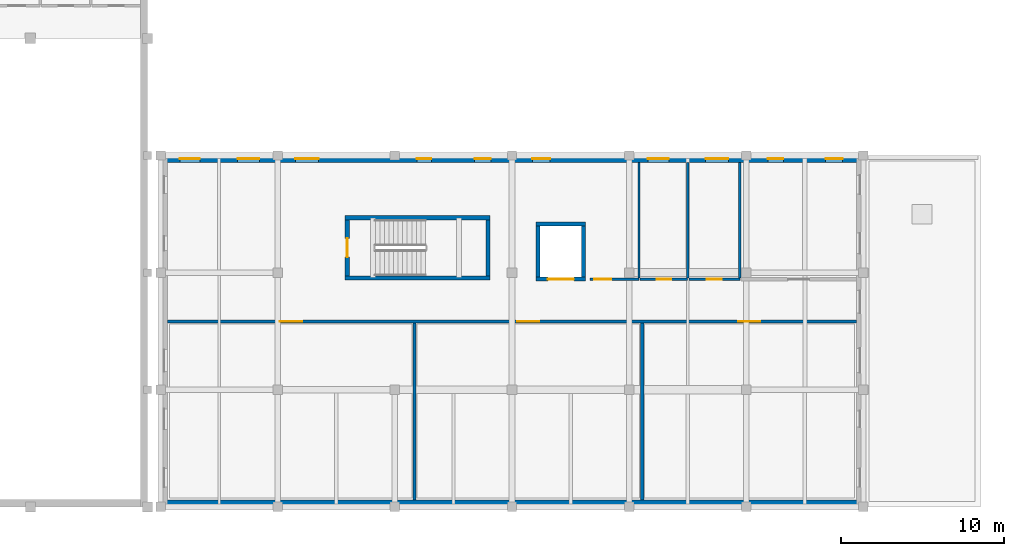
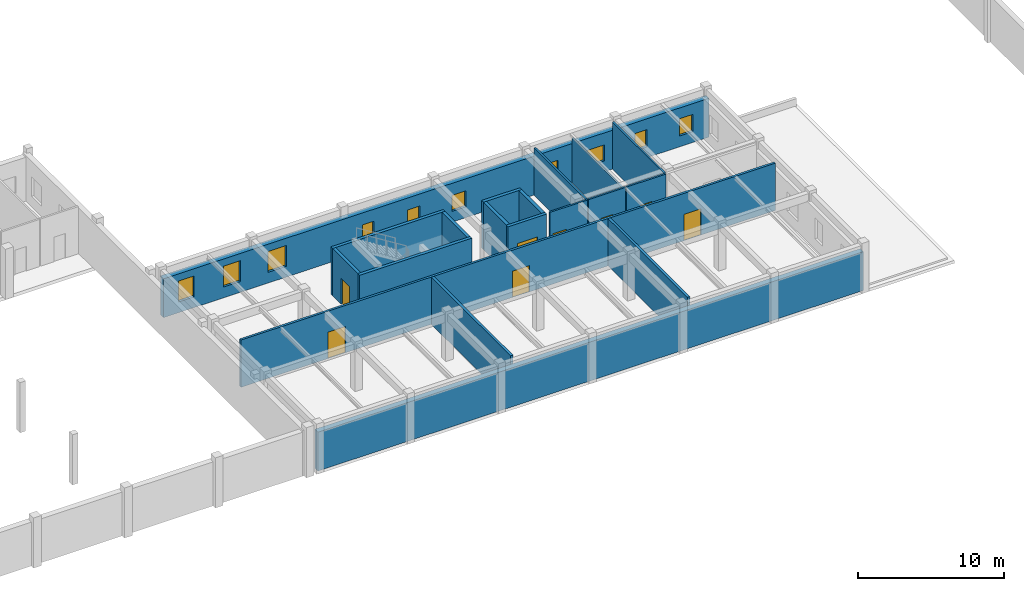
# One storey, part 29 of 49: 19 walls, 10 windows, 8 doors, 18 openings.
"""IFC4 building model written with IfcOpenShell, lengths in metres."""

from ifc_helpers import new_model, si_unit, direction, frame, frame_2d, origin, place, context, subcontext, project, spatial, rectangle, extrude, material, layer, layer_set, type_object, element, fill, save


model = new_model("IFC4")

# Units and contexts
model_context = context("Model", 3, precision=1e-05, world=origin(), true_north=direction((0.0, 1.0)))
body_context = subcontext(model_context, "Body", "Model", "MODEL_VIEW")
ifc_project = project(units=[si_unit("LENGTHUNIT", "METRE"), si_unit("AREAUNIT", "SQUARE_METRE"), si_unit("VOLUMEUNIT", "CUBIC_METRE"), si_unit("PLANEANGLEUNIT", "RADIAN"), si_unit("MASSUNIT", "GRAM", prefix="KILO")], contexts=[model_context])

# Site, building, storey
site_placement = place(None, origin())
site = spatial("IfcSite", under=ifc_project, at=site_placement, CompositionType="ELEMENT")
building_placement = place(site_placement, origin())
building = spatial("IfcBuilding", under=site, at=building_placement, Name="Bramveld Media Centre", CompositionType="ELEMENT")
storey_placement = place(building_placement, frame((0.0, 0.0, 9.60009765625)))
storey = spatial("IfcBuildingStorey", under=building, at=storey_placement, Name="L02", CompositionType="ELEMENT", Elevation=9.60009765625)

# Walls
ifc_material_1 = material(Name="Concrete C40/50 stair & lift core wall", Category="concrete")
ifc_layer_1 = layer(ifc_material_1, 0.25)
ifc_layer_set_1 = layer_set([ifc_layer_1], Name="Concrete C40/50 stair & lift core wall")
wall_type_1 = type_object("IfcWallType", Name="CWALL-SHEAR-250", PredefinedType="SHEAR", material=ifc_layer_set_1)
for number, where, z_axis, x_axis, name in (
    (1, (69.75, 14.074951171875, 0.0), (0.0, 0.0, 1.0), (1.0, 0.0, 0.0), "ST-06 L02 stair core shear wall S"),
    (2, (78.64990234375, 17.77490234375, 0.0), (0.0, 0.0, 1.0), (-1.0, 0.0, 0.0), "ST-06 L02 stair core shear wall N"),
):
    element("IfcWall", number, at=place(storey_placement, frame(where, z_axis=z_axis, x_axis=x_axis)), inside=storey, type_object=wall_type_1, Name=name, PredefinedType="SHEAR", context=body_context, shape_type="SweptSolid", body=[
        extrude(rectangle(XDim=8.89990234375, YDim=0.25, at=frame_2d((4.449951171875, 0.0))), origin(), (0.0, 0.0, 1.0), 3.9599609375),
    ])

# Wall, opening, door
wall_1_placement = place(storey_placement, frame((69.875, 17.64990234375, 0.0), z_axis=(0.0, 0.0, 1.0), x_axis=(0.0, -1.0, 0.0)))
wall_1 = element("IfcWall", 3, at=wall_1_placement, inside=storey, type_object=wall_type_1, Name="ST-06 L02 stair core shear wall W", PredefinedType="SHEAR", context=body_context, shape_type="SweptSolid", body=[
    extrude(rectangle(XDim=3.449951171875, YDim=0.25, at=frame_2d((1.72509765625, 0.0))), origin(), (0.0, 0.0, 1.0), 3.9599609375),
])
opening_1_placement = place(wall_1_placement, frame((1.14990234375, 0.0, 0.0)))
opening_1 = element("IfcOpeningElement", 4, at=opening_1_placement, cuts=wall_1, Name="Opening SD-06-L02", PredefinedType="OPENING", context=body_context, shape_type="SweptSolid", body=[
    extrude(rectangle(XDim=1.14990234375, YDim=2.14990234375, at=frame_2d((0.574951171875, 1.074951171875))), frame((0.0, 0.136962890625, 0.0), z_axis=(0.0, -1.0, 0.0), x_axis=(1.0, 0.0, 0.0)), (0.0, 0.0, 1.0), 0.27392578125),
])
ifc_material_2 = material(Name="Painted galvanized steel acoustic fire door with intumescent smoke seals", Category="steel")
door_type_1 = type_object("IfcDoorType", Name="DR-ST-1150", OperationType="NOTDEFINED", PredefinedType="DOOR", material=ifc_material_2)
door_1_placement = place(opening_1_placement, origin())
door_1 = element("IfcDoor", 5, at=door_1_placement, inside=storey, type_object=door_type_1, Name="ST-06 L02 pressurized stair fire door", OperationType="SINGLE_SWING_RIGHT", OverallHeight=2.14990234375, OverallWidth=1.14990234375, PredefinedType="DOOR", context=body_context, shape_type="SweptSolid", body=[
    extrude(rectangle(XDim=1.14990234375, YDim=2.14990234375, at=frame_2d((0.574951171875, 1.074951171875))), frame((0.0, 0.02490234375, 0.0), z_axis=(0.0, -1.0, 0.0), x_axis=(1.0, 0.0, 0.0)), (0.0, 0.0, 1.0), 0.050048828125),
])
fill(opening_1, door_1)

# Wall
wall_2_placement = place(storey_placement, frame((78.52490234375, 14.199951171875, 0.0), z_axis=(0.0, 0.0, 1.0), x_axis=(0.0, 1.0, 0.0)))
element("IfcWall", 6, at=wall_2_placement, inside=storey, type_object=wall_type_1, Name="ST-06 L02 stair core shear wall E", PredefinedType="SHEAR", context=body_context, shape_type="SweptSolid", body=[
    extrude(rectangle(XDim=3.449951171875, YDim=0.25, at=frame_2d((1.72509765625, 0.0))), origin(), (0.0, 0.0, 1.0), 3.9599609375),
])

# Wall, opening, door
wall_3_placement = place(storey_placement, frame((81.47509765625, 14.0, 0.0), z_axis=(0.0, 0.0, 1.0), x_axis=(1.0, 0.0, 0.0)))
wall_3 = element("IfcWall", 7, at=wall_3_placement, inside=storey, type_object=wall_type_1, Name="GL-01 L02 lift shaft wall S", PredefinedType="SHEAR", context=body_context, shape_type="SweptSolid", body=[
    extrude(rectangle(XDim=3.0498046875, YDim=0.25, at=frame_2d((1.52490234375, 0.0))), origin(), (0.0, 0.0, 1.0), 3.9599609375),
])
opening_2_placement = place(wall_3_placement, frame((0.72509765625, 0.0, 0.0)))
opening_2 = element("IfcOpeningElement", 8, at=opening_2_placement, cuts=wall_3, Name="Opening LD-04-01-L02", PredefinedType="OPENING", context=body_context, shape_type="SweptSolid", body=[
    extrude(rectangle(XDim=1.60009765625, YDim=2.300048828125, at=frame_2d((0.800048828125, 1.14990234375))), frame((0.0, 0.136962890625, 0.0), z_axis=(0.0, -1.0, 0.0), x_axis=(1.0, 0.0, 0.0)), (0.0, 0.0, 1.0), 0.27392578125),
])
ifc_material_3 = material(Name="Brushed stainless steel automatic fire-rated sliding lift landing door", Category="steel")
door_type_2 = type_object("IfcDoorType", Name="LD-TYPE-04", OperationType="DOUBLE_DOOR_SLIDING", PredefinedType="DOOR", material=ifc_material_3)
door_2_placement = place(opening_2_placement, origin())
door_2 = element("IfcDoor", 9, at=door_2_placement, inside=storey, type_object=door_type_2, Name="GL-01 L02 sliding lift landing door", OperationType="DOUBLE_DOOR_SLIDING", OverallHeight=2.300048828125, OverallWidth=1.60009765625, PredefinedType="DOOR", context=body_context, shape_type="SweptSolid", body=[
    extrude(rectangle(XDim=1.60009765625, YDim=2.300048828125, at=frame_2d((0.800048828125, 1.14990234375))), frame((0.0, 0.02490234375, 0.0), z_axis=(0.0, -1.0, 0.0), x_axis=(1.0, 0.0, 0.0)), (0.0, 0.0, 1.0), 0.050048828125),
])
fill(opening_2, door_2)

# Walls
wall_4_placement = place(storey_placement, frame((84.52490234375, 17.39990234375, 0.0), z_axis=(0.0, 0.0, 1.0), x_axis=(-1.0, 0.0, 0.0)))
element("IfcWall", 10, at=wall_4_placement, inside=storey, type_object=wall_type_1, Name="GL-01 L02 lift shaft wall N", PredefinedType="SHEAR", context=body_context, shape_type="SweptSolid", body=[
    extrude(rectangle(XDim=3.0498046875, YDim=0.25, at=frame_2d((1.52490234375, 0.0))), origin(), (0.0, 0.0, 1.0), 3.9599609375),
])
for number, where, z_axis, x_axis, name in (
    (11, (81.60009765625, 17.39990234375, 0.0), (0.0, 0.0, 1.0), (0.0, -1.0, 0.0), "GL-01 L02 lift shaft wall W"),
    (12, (84.39990234375, 14.0, 0.0), (0.0, 0.0, 1.0), (0.0, 1.0, 0.0), "GL-01 L02 lift shaft wall E"),
):
    element("IfcWall", number, at=place(storey_placement, frame(where, z_axis=z_axis, x_axis=x_axis)), inside=storey, type_object=wall_type_1, Name=name, PredefinedType="SHEAR", context=body_context, shape_type="SweptSolid", body=[
        extrude(rectangle(XDim=3.39990234375, YDim=0.25, at=frame_2d((1.699951171875, 0.0))), origin(), (0.0, 0.0, 1.0), 3.9599609375),
    ])
ifc_material_4 = material(Name="Flemish red-brown clay facing brick cavity wall with concrete C35/45 inner leaf", Category="masonry")
ifc_layer_2 = layer(ifc_material_4, 0.419921875)
ifc_layer_set_2 = layer_set([ifc_layer_2], Name="Flemish red-brown clay facing brick cavity wall with concrete C35/45 inner leaf")
wall_type_2 = type_object("IfcWallType", Name="EW-BRK-420", PredefinedType="SOLIDWALL", material=ifc_layer_set_2)
wall_5_placement = place(storey_placement, frame((101.60009765625, 0.2099609375, 0.0), z_axis=(0.0, 0.0, 1.0), x_axis=(-1.0, 0.0, 0.0)))
element("IfcWall", 13, at=wall_5_placement, inside=storey, type_object=wall_type_2, Name="V5 L02 S facing brick exterior wall", PredefinedType="SOLIDWALL", context=body_context, shape_type="SweptSolid", body=[
    extrude(rectangle(XDim=43.2001953125, YDim=0.419921875, at=frame_2d((21.60009765625, 0.0))), origin(), (0.0, 0.0, 1.0), 3.2548828125),
])

# Wall, openings, windows
wall_6_placement = place(storey_placement, frame((58.39990234375, 21.389892578125, 0.0), z_axis=(0.0, 0.0, 1.0), x_axis=(1.0, 0.0, 0.0)))
wall_6 = element("IfcWall", 14, at=wall_6_placement, inside=storey, type_object=wall_type_2, Name="V5 L02 N facing brick exterior wall", PredefinedType="SOLIDWALL", context=body_context, shape_type="SweptSolid", body=[
    extrude(rectangle(XDim=43.2001953125, YDim=0.419921875, at=frame_2d((21.60009765625, 0.0))), origin(), (0.0, 0.0, 1.0), 3.2548828125),
])
opening_3_placement = place(wall_6_placement, frame((1.179931640625, 0.0, 0.89990234375)))
opening_3 = element("IfcOpeningElement", 15, at=opening_3_placement, cuts=wall_6, Name="Opening W-21", PredefinedType="OPENING", context=body_context, shape_type="SweptSolid", body=[
    extrude(rectangle(XDim=1.239990234375, YDim=1.75, at=frame_2d((0.6201171875, 0.875))), frame((0.0, 0.221923828125, 0.0), z_axis=(0.0, -1.0, 0.0), x_axis=(1.0, 0.0, 0.0)), (0.0, 0.0, 1.0), 0.44384765625),
])
opening_4_placement = place(wall_6_placement, frame((4.72998046875, 0.0, 0.89990234375)))
opening_4 = element("IfcOpeningElement", 16, at=opening_4_placement, cuts=wall_6, Name="Opening W-22", PredefinedType="OPENING", context=body_context, shape_type="SweptSolid", body=[
    extrude(rectangle(XDim=1.340087890625, YDim=1.75, at=frame_2d((0.669921875, 0.875))), frame((0.0, 0.221923828125, 0.0), z_axis=(0.0, -1.0, 0.0), x_axis=(1.0, 0.0, 0.0)), (0.0, 0.0, 1.0), 0.44384765625),
])
opening_5_placement = place(wall_6_placement, frame((8.280029296875, 0.0, 0.89990234375)))
opening_5 = element("IfcOpeningElement", 17, at=opening_5_placement, cuts=wall_6, Name="Opening W-23", PredefinedType="OPENING", context=body_context, shape_type="SweptSolid", body=[
    extrude(rectangle(XDim=1.43994140625, YDim=1.75, at=frame_2d((0.719970703125, 0.875))), frame((0.0, 0.221923828125, 0.0), z_axis=(0.0, -1.0, 0.0), x_axis=(1.0, 0.0, 0.0)), (0.0, 0.0, 1.0), 0.44384765625),
])
opening_6_placement = place(wall_6_placement, frame((15.75, 0.0, 0.89990234375)))
opening_6 = element("IfcOpeningElement", 18, at=opening_6_placement, cuts=wall_6, Name="Opening W-01", PredefinedType="OPENING", context=body_context, shape_type="SweptSolid", body=[
    extrude(rectangle(XDim=0.89990234375, YDim=1.35009765625, at=frame_2d((0.449951171875, 0.675048828125))), frame((0.0, 0.221923828125, 0.0), z_axis=(0.0, -1.0, 0.0), x_axis=(1.0, 0.0, 0.0)), (0.0, 0.0, 1.0), 0.44384765625),
])
opening_7_placement = place(wall_6_placement, frame((19.300048828125, 0.0, 0.89990234375)))
opening_7 = element("IfcOpeningElement", 19, at=opening_7_placement, cuts=wall_6, Name="Opening W-02", PredefinedType="OPENING", context=body_context, shape_type="SweptSolid", body=[
    extrude(rectangle(XDim=1.0, YDim=1.35009765625, at=frame_2d((0.5, 0.675048828125))), frame((0.0, 0.221923828125, 0.0), z_axis=(0.0, -1.0, 0.0), x_axis=(1.0, 0.0, 0.0)), (0.0, 0.0, 1.0), 0.44384765625),
])
opening_8_placement = place(wall_6_placement, frame((22.85009765625, 0.0, 0.89990234375)))
opening_8 = element("IfcOpeningElement", 20, at=opening_8_placement, cuts=wall_6, Name="Opening W-03", PredefinedType="OPENING", context=body_context, shape_type="SweptSolid", body=[
    extrude(rectangle(XDim=1.10009765625, YDim=1.35009765625, at=frame_2d((0.550048828125, 0.675048828125))), frame((0.0, 0.221923828125, 0.0), z_axis=(0.0, -1.0, 0.0), x_axis=(1.0, 0.0, 0.0)), (0.0, 0.0, 1.0), 0.44384765625),
])
opening_9_placement = place(wall_6_placement, frame((29.949951171875, 0.0, 0.89990234375)))
opening_9 = element("IfcOpeningElement", 21, at=opening_9_placement, cuts=wall_6, Name="Opening W-05", PredefinedType="OPENING", context=body_context, shape_type="SweptSolid", body=[
    extrude(rectangle(XDim=1.300048828125, YDim=1.35009765625, at=frame_2d((0.64990234375, 0.675048828125))), frame((0.0, 0.221923828125, 0.0), z_axis=(0.0, -1.0, 0.0), x_axis=(1.0, 0.0, 0.0)), (0.0, 0.0, 1.0), 0.44384765625),
])
opening_10_placement = place(wall_6_placement, frame((33.5, 0.0, 0.89990234375)))
opening_10 = element("IfcOpeningElement", 22, at=opening_10_placement, cuts=wall_6, Name="Opening W-06", PredefinedType="OPENING", context=body_context, shape_type="SweptSolid", body=[
    extrude(rectangle(XDim=1.39990234375, YDim=1.35009765625, at=frame_2d((0.699951171875, 0.675048828125))), frame((0.0, 0.221923828125, 0.0), z_axis=(0.0, -1.0, 0.0), x_axis=(1.0, 0.0, 0.0)), (0.0, 0.0, 1.0), 0.44384765625),
])
opening_11_placement = place(wall_6_placement, frame((37.324951171875, 0.0, 0.89990234375)))
opening_11 = element("IfcOpeningElement", 23, at=opening_11_placement, cuts=wall_6, Name="Opening W-07", PredefinedType="OPENING", context=body_context, shape_type="SweptSolid", body=[
    extrude(rectangle(XDim=0.949951171875, YDim=1.449951171875, at=frame_2d((0.47509765625, 0.72509765625))), frame((0.0, 0.221923828125, 0.0), z_axis=(0.0, -1.0, 0.0), x_axis=(1.0, 0.0, 0.0)), (0.0, 0.0, 1.0), 0.44384765625),
])
opening_12_placement = place(wall_6_placement, frame((40.875, 0.0, 0.89990234375)))
opening_12 = element("IfcOpeningElement", 24, at=opening_12_placement, cuts=wall_6, Name="Opening W-08", PredefinedType="OPENING", context=body_context, shape_type="SweptSolid", body=[
    extrude(rectangle(XDim=1.050048828125, YDim=1.449951171875, at=frame_2d((0.52490234375, 0.72509765625))), frame((0.0, 0.221923828125, 0.0), z_axis=(0.0, -1.0, 0.0), x_axis=(1.0, 0.0, 0.0)), (0.0, 0.0, 1.0), 0.44384765625),
])
ifc_material_5 = material(Name="Thermally broken anodized bronze aluminium frame with triple acoustic glazing", Category="aluminium")
window_type_1 = type_object("IfcWindowType", Name="WIN-FAC-01", PartitioningType="SINGLE_PANEL", PredefinedType="WINDOW", material=ifc_material_5)
window_1_placement = place(opening_6_placement, origin())
window_1 = element("IfcWindow", 25, at=window_1_placement, inside=storey, type_object=window_type_1, Name="V5 L02 N acoustic facade window", OverallHeight=1.35009765625, OverallWidth=0.89990234375, PartitioningType="SINGLE_PANEL", PredefinedType="WINDOW", context=body_context, shape_type="SweptSolid", body=[
    extrude(rectangle(XDim=0.89990234375, YDim=1.35009765625, at=frame_2d((0.449951171875, 0.675048828125))), frame((0.0, 0.030029296875, 0.0), z_axis=(0.0, -1.0, 0.0), x_axis=(1.0, 0.0, 0.0)), (0.0, 0.0, 1.0), 0.06005859375),
])
fill(opening_6, window_1)
ifc_material_6 = material(Name="Thermally broken anodized bronze aluminium frame with triple acoustic glazing", Category="aluminium")
window_type_2 = type_object("IfcWindowType", Name="WIN-FAC-02", PartitioningType="SINGLE_PANEL", PredefinedType="WINDOW", material=ifc_material_6)
window_2_placement = place(opening_7_placement, origin())
window_2 = element("IfcWindow", 26, at=window_2_placement, inside=storey, type_object=window_type_2, Name="V5 L02 N acoustic facade window", OverallHeight=1.35009765625, OverallWidth=1.0, PartitioningType="SINGLE_PANEL", PredefinedType="WINDOW", context=body_context, shape_type="SweptSolid", body=[
    extrude(rectangle(XDim=1.0, YDim=1.35009765625, at=frame_2d((0.5, 0.675048828125))), frame((0.0, 0.030029296875, 0.0), z_axis=(0.0, -1.0, 0.0), x_axis=(1.0, 0.0, 0.0)), (0.0, 0.0, 1.0), 0.06005859375),
])
fill(opening_7, window_2)
ifc_material_7 = material(Name="Thermally broken anodized bronze aluminium frame with triple acoustic glazing", Category="aluminium")
window_type_3 = type_object("IfcWindowType", Name="WIN-FAC-03", PartitioningType="SINGLE_PANEL", PredefinedType="WINDOW", material=ifc_material_7)
window_3_placement = place(opening_8_placement, origin())
window_3 = element("IfcWindow", 27, at=window_3_placement, inside=storey, type_object=window_type_3, Name="V5 L02 N acoustic facade window", OverallHeight=1.35009765625, OverallWidth=1.10009765625, PartitioningType="SINGLE_PANEL", PredefinedType="WINDOW", context=body_context, shape_type="SweptSolid", body=[
    extrude(rectangle(XDim=1.10009765625, YDim=1.35009765625, at=frame_2d((0.550048828125, 0.675048828125))), frame((0.0, 0.030029296875, 0.0), z_axis=(0.0, -1.0, 0.0), x_axis=(1.0, 0.0, 0.0)), (0.0, 0.0, 1.0), 0.06005859375),
])
fill(opening_8, window_3)
ifc_material_8 = material(Name="Thermally broken anodized bronze aluminium frame with triple acoustic glazing", Category="aluminium")
window_type_4 = type_object("IfcWindowType", Name="WIN-FAC-05", PartitioningType="SINGLE_PANEL", PredefinedType="WINDOW", material=ifc_material_8)
window_4_placement = place(opening_9_placement, origin())
window_4 = element("IfcWindow", 28, at=window_4_placement, inside=storey, type_object=window_type_4, Name="V5 L02 N acoustic facade window", OverallHeight=1.35009765625, OverallWidth=1.300048828125, PartitioningType="SINGLE_PANEL", PredefinedType="WINDOW", context=body_context, shape_type="SweptSolid", body=[
    extrude(rectangle(XDim=1.300048828125, YDim=1.35009765625, at=frame_2d((0.64990234375, 0.675048828125))), frame((0.0, 0.030029296875, 0.0), z_axis=(0.0, -1.0, 0.0), x_axis=(1.0, 0.0, 0.0)), (0.0, 0.0, 1.0), 0.06005859375),
])
fill(opening_9, window_4)
ifc_material_9 = material(Name="Thermally broken anodized bronze aluminium frame with triple acoustic glazing", Category="aluminium")
window_type_5 = type_object("IfcWindowType", Name="WIN-FAC-06", PartitioningType="SINGLE_PANEL", PredefinedType="WINDOW", material=ifc_material_9)
window_5_placement = place(opening_10_placement, origin())
window_5 = element("IfcWindow", 29, at=window_5_placement, inside=storey, type_object=window_type_5, Name="V5 L02 N acoustic facade window", OverallHeight=1.35009765625, OverallWidth=1.39990234375, PartitioningType="SINGLE_PANEL", PredefinedType="WINDOW", context=body_context, shape_type="SweptSolid", body=[
    extrude(rectangle(XDim=1.39990234375, YDim=1.35009765625, at=frame_2d((0.699951171875, 0.675048828125))), frame((0.0, 0.030029296875, 0.0), z_axis=(0.0, -1.0, 0.0), x_axis=(1.0, 0.0, 0.0)), (0.0, 0.0, 1.0), 0.06005859375),
])
fill(opening_10, window_5)
ifc_material_10 = material(Name="Thermally broken anodized bronze aluminium frame with triple acoustic glazing", Category="aluminium")
window_type_6 = type_object("IfcWindowType", Name="WIN-FAC-07", PartitioningType="SINGLE_PANEL", PredefinedType="WINDOW", material=ifc_material_10)
window_6_placement = place(opening_11_placement, origin())
window_6 = element("IfcWindow", 30, at=window_6_placement, inside=storey, type_object=window_type_6, Name="V5 L02 N acoustic facade window", OverallHeight=1.449951171875, OverallWidth=0.949951171875, PartitioningType="SINGLE_PANEL", PredefinedType="WINDOW", context=body_context, shape_type="SweptSolid", body=[
    extrude(rectangle(XDim=0.949951171875, YDim=1.449951171875, at=frame_2d((0.47509765625, 0.72509765625))), frame((0.0, 0.030029296875, 0.0), z_axis=(0.0, -1.0, 0.0), x_axis=(1.0, 0.0, 0.0)), (0.0, 0.0, 1.0), 0.06005859375),
])
fill(opening_11, window_6)
ifc_material_11 = material(Name="Thermally broken anodized bronze aluminium frame with triple acoustic glazing", Category="aluminium")
window_type_7 = type_object("IfcWindowType", Name="WIN-FAC-08", PartitioningType="SINGLE_PANEL", PredefinedType="WINDOW", material=ifc_material_11)
window_7_placement = place(opening_12_placement, origin())
window_7 = element("IfcWindow", 31, at=window_7_placement, inside=storey, type_object=window_type_7, Name="V5 L02 N acoustic facade window", OverallHeight=1.449951171875, OverallWidth=1.050048828125, PartitioningType="SINGLE_PANEL", PredefinedType="WINDOW", context=body_context, shape_type="SweptSolid", body=[
    extrude(rectangle(XDim=1.050048828125, YDim=1.449951171875, at=frame_2d((0.52490234375, 0.72509765625))), frame((0.0, 0.030029296875, 0.0), z_axis=(0.0, -1.0, 0.0), x_axis=(1.0, 0.0, 0.0)), (0.0, 0.0, 1.0), 0.06005859375),
])
fill(opening_12, window_7)
ifc_material_12 = material(Name="Thermally broken anodized bronze aluminium frame with triple acoustic glazing", Category="aluminium")
window_type_8 = type_object("IfcWindowType", Name="WIN-FAC-21", PartitioningType="SINGLE_PANEL", PredefinedType="WINDOW", material=ifc_material_12)
window_8_placement = place(opening_3_placement, origin())
window_8 = element("IfcWindow", 32, at=window_8_placement, inside=storey, type_object=window_type_8, Name="V5 L02 N acoustic facade window", OverallHeight=1.75, OverallWidth=1.239990234375, PartitioningType="SINGLE_PANEL", PredefinedType="WINDOW", context=body_context, shape_type="SweptSolid", body=[
    extrude(rectangle(XDim=1.239990234375, YDim=1.75, at=frame_2d((0.6201171875, 0.875))), frame((0.0, 0.030029296875, 0.0), z_axis=(0.0, -1.0, 0.0), x_axis=(1.0, 0.0, 0.0)), (0.0, 0.0, 1.0), 0.06005859375),
])
fill(opening_3, window_8)
ifc_material_13 = material(Name="Thermally broken anodized bronze aluminium frame with triple acoustic glazing", Category="aluminium")
window_type_9 = type_object("IfcWindowType", Name="WIN-FAC-22", PartitioningType="SINGLE_PANEL", PredefinedType="WINDOW", material=ifc_material_13)
window_9_placement = place(opening_4_placement, origin())
window_9 = element("IfcWindow", 33, at=window_9_placement, inside=storey, type_object=window_type_9, Name="V5 L02 N acoustic facade window", OverallHeight=1.75, OverallWidth=1.340087890625, PartitioningType="SINGLE_PANEL", PredefinedType="WINDOW", context=body_context, shape_type="SweptSolid", body=[
    extrude(rectangle(XDim=1.340087890625, YDim=1.75, at=frame_2d((0.669921875, 0.875))), frame((0.0, 0.030029296875, 0.0), z_axis=(0.0, -1.0, 0.0), x_axis=(1.0, 0.0, 0.0)), (0.0, 0.0, 1.0), 0.06005859375),
])
fill(opening_4, window_9)
ifc_material_14 = material(Name="Thermally broken anodized bronze aluminium frame with triple acoustic glazing", Category="aluminium")
window_type_10 = type_object("IfcWindowType", Name="WIN-FAC-23", PartitioningType="SINGLE_PANEL", PredefinedType="WINDOW", material=ifc_material_14)
window_10_placement = place(opening_5_placement, origin())
window_10 = element("IfcWindow", 34, at=window_10_placement, inside=storey, type_object=window_type_10, Name="V5 L02 N acoustic facade window", OverallHeight=1.75, OverallWidth=1.43994140625, PartitioningType="SINGLE_PANEL", PredefinedType="WINDOW", context=body_context, shape_type="SweptSolid", body=[
    extrude(rectangle(XDim=1.43994140625, YDim=1.75, at=frame_2d((0.719970703125, 0.875))), frame((0.0, 0.030029296875, 0.0), z_axis=(0.0, -1.0, 0.0), x_axis=(1.0, 0.0, 0.0)), (0.0, 0.0, 1.0), 0.06005859375),
])
fill(opening_5, window_10)

# Walls
ifc_material_15 = material(Name="Acoustic calcium-silicate & mineral-wool compartment partition", Category="masonry")
ifc_layer_3 = layer(ifc_material_15, 0.199951171875)
ifc_layer_set_3 = layer_set([ifc_layer_3], Name="Acoustic calcium-silicate & mineral-wool compartment partition")
wall_type_3 = type_object("IfcWallType", Name="IW-ACOU-200", PredefinedType="PARTITIONING", material=ifc_layer_set_3)
for number, where, z_axis, x_axis, name in (
    (35, (74.0, 0.429931640625, 0.0), (0.0, 0.0, 1.0), (0.0, 1.0, 0.0), "FIAF Cool Acetate Film Vault 1 partition wall"),
    (36, (88.0, 0.429931640625, 0.0), (0.0, 0.0, 1.0), (0.0, 1.0, 0.0), "FIAF Cool Acetate Film Vault 2 partition wall"),
):
    element("IfcWall", number, at=place(storey_placement, frame(where, z_axis=z_axis, x_axis=x_axis)), inside=storey, type_object=wall_type_3, Name=name, PredefinedType="PARTITIONING", context=body_context, shape_type="SweptSolid", body=[
        extrude(rectangle(XDim=10.8701171875, YDim=0.199951171875, at=frame_2d((5.43505859375, 0.0))), origin(), (0.0, 0.0, 1.0), 3.9599609375),
    ])

# Wall, openings, doors
ifc_material_16 = material(Name="Fire-rated twin-frame gypsum corridor wall", Category="gypsum")
ifc_layer_4 = layer(ifc_material_16, 0.179931640625)
ifc_layer_set_4 = layer_set([ifc_layer_4], Name="Fire-rated twin-frame gypsum corridor wall")
wall_type_4 = type_object("IfcWallType", Name="IW-FIRE-180", PredefinedType="PARTITIONING", material=ifc_layer_set_4)
wall_7_placement = place(storey_placement, frame((58.830078125, 11.39990234375, 0.0), z_axis=(0.0, 0.0, 1.0), x_axis=(1.0, 0.0, 0.0)))
wall_7 = element("IfcWall", 37, at=wall_7_placement, inside=storey, type_object=wall_type_4, Name="Archival Vaults Airlock Corridor partition wall", PredefinedType="PARTITIONING", context=body_context, shape_type="SweptSolid", body=[
    extrude(rectangle(XDim=42.33984375, YDim=0.179931640625, at=frame_2d((21.169921875, 0.0))), origin(), (0.0, 0.0, 1.0), 3.9599609375),
])
opening_13_placement = place(wall_7_placement, frame((6.905029296875, 0.0, 0.0)))
opening_13 = element("IfcOpeningElement", 38, at=opening_13_placement, cuts=wall_7, Name="Opening D-02-118", PredefinedType="OPENING", context=body_context, shape_type="SweptSolid", body=[
    extrude(rectangle(XDim=1.360107421875, YDim=2.199951171875, at=frame_2d((0.68017578125, 1.10009765625))), frame((0.0, 0.10205078125, 0.0), z_axis=(0.0, -1.0, 0.0), x_axis=(1.0, 0.0, 0.0)), (0.0, 0.0, 1.0), 0.203857421875),
])
opening_14_placement = place(wall_7_placement, frame((21.489990234375, 0.0, 0.0)))
opening_14 = element("IfcOpeningElement", 39, at=opening_14_placement, cuts=wall_7, Name="Opening D-02-119", PredefinedType="OPENING", context=body_context, shape_type="SweptSolid", body=[
    extrude(rectangle(XDim=1.360107421875, YDim=2.199951171875, at=frame_2d((0.68017578125, 1.10009765625))), frame((0.0, 0.10205078125, 0.0), z_axis=(0.0, -1.0, 0.0), x_axis=(1.0, 0.0, 0.0)), (0.0, 0.0, 1.0), 0.203857421875),
])
opening_15_placement = place(wall_7_placement, frame((35.074951171875, 0.0, 0.0)))
opening_15 = element("IfcOpeningElement", 40, at=opening_15_placement, cuts=wall_7, Name="Opening D-02-120", PredefinedType="OPENING", context=body_context, shape_type="SweptSolid", body=[
    extrude(rectangle(XDim=1.360107421875, YDim=2.199951171875, at=frame_2d((0.68017578125, 1.10009765625))), frame((0.0, 0.10205078125, 0.0), z_axis=(0.0, -1.0, 0.0), x_axis=(1.0, 0.0, 0.0)), (0.0, 0.0, 1.0), 0.203857421875),
])
ifc_material_17 = material(Name="Fire-rated acoustic timber & steel composite door", Category="steel")
door_type_3 = type_object("IfcDoorType", Name="DR-VAULT-1360", OperationType="NOTDEFINED", PredefinedType="DOOR", material=ifc_material_17)
door_3_placement = place(opening_13_placement, origin())
door_3 = element("IfcDoor", 41, at=door_3_placement, inside=storey, type_object=door_type_3, Name="FIAF Cool Acetate Film Vault 1 entrance door", OperationType="SINGLE_SWING_LEFT", OverallHeight=2.199951171875, OverallWidth=1.360107421875, PredefinedType="DOOR", context=body_context, shape_type="SweptSolid", body=[
    extrude(rectangle(XDim=1.360107421875, YDim=2.199951171875, at=frame_2d((0.68017578125, 1.10009765625))), frame((0.0, 0.02490234375, 0.0), z_axis=(0.0, -1.0, 0.0), x_axis=(1.0, 0.0, 0.0)), (0.0, 0.0, 1.0), 0.050048828125),
])
fill(opening_13, door_3)
door_4_placement = place(opening_14_placement, origin())
door_4 = element("IfcDoor", 42, at=door_4_placement, inside=storey, type_object=door_type_3, Name="FIAF Cool Acetate Film Vault 2 entrance door", OperationType="SINGLE_SWING_RIGHT", OverallHeight=2.199951171875, OverallWidth=1.360107421875, PredefinedType="DOOR", context=body_context, shape_type="SweptSolid", body=[
    extrude(rectangle(XDim=1.360107421875, YDim=2.199951171875, at=frame_2d((0.68017578125, 1.10009765625))), frame((0.0, 0.02490234375, 0.0), z_axis=(0.0, -1.0, 0.0), x_axis=(1.0, 0.0, 0.0)), (0.0, 0.0, 1.0), 0.050048828125),
])
fill(opening_14, door_4)
door_5_placement = place(opening_15_placement, origin())
door_5 = element("IfcDoor", 43, at=door_5_placement, inside=storey, type_object=door_type_3, Name="Magnetic Tape & Broadcast Master Vault entrance door", OperationType="SINGLE_SWING_LEFT", OverallHeight=2.199951171875, OverallWidth=1.360107421875, PredefinedType="DOOR", context=body_context, shape_type="SweptSolid", body=[
    extrude(rectangle(XDim=1.360107421875, YDim=2.199951171875, at=frame_2d((0.68017578125, 1.10009765625))), frame((0.0, 0.02490234375, 0.0), z_axis=(0.0, -1.0, 0.0), x_axis=(1.0, 0.0, 0.0)), (0.0, 0.0, 1.0), 0.050048828125),
])
fill(opening_15, door_5)

# Wall, opening, door
ifc_material_18 = material(Name="Moisture-resistant cement-board sanitary partition", Category="gypsum")
ifc_layer_5 = layer(ifc_material_18, 0.139892578125)
ifc_layer_set_5 = layer_set([ifc_layer_5], Name="Moisture-resistant cement-board sanitary partition")
wall_type_5 = type_object("IfcWallType", Name="IW-WET-140", PredefinedType="PARTITIONING", material=ifc_layer_set_5)
wall_8_placement = place(storey_placement, frame((84.800048828125, 14.0, 0.0), z_axis=(0.0, 0.0, 1.0), x_axis=(1.0, 0.0, 0.0)))
wall_8 = element("IfcWall", 44, at=wall_8_placement, inside=storey, type_object=wall_type_5, Name="Accessible WC partition wall", PredefinedType="PARTITIONING", context=body_context, shape_type="SweptSolid", body=[
    extrude(rectangle(XDim=3.0, YDim=0.139892578125, at=frame_2d((1.5, 0.0))), origin(), (0.0, 0.0, 1.0), 3.9599609375),
])
opening_16_placement = place(wall_8_placement, frame((0.25, 0.0, 0.0)))
opening_16 = element("IfcOpeningElement", 45, at=opening_16_placement, cuts=wall_8, Name="Opening D-02-121", PredefinedType="OPENING", context=body_context, shape_type="SweptSolid", body=[
    extrude(rectangle(XDim=1.06005859375, YDim=2.10009765625, at=frame_2d((0.530029296875, 1.050048828125))), frame((0.0, 0.08203125, 0.0), z_axis=(0.0, -1.0, 0.0), x_axis=(1.0, 0.0, 0.0)), (0.0, 0.0, 1.0), 0.163818359375),
])
ifc_material_19 = material(Name="Solid-core European oak acoustic timber leaf in steel frame", Category="steel")
door_type_4 = type_object("IfcDoorType", Name="DR-WC-PMR-1060", OperationType="NOTDEFINED", PredefinedType="DOOR", material=ifc_material_19)
door_6_placement = place(opening_16_placement, origin())
door_6 = element("IfcDoor", 46, at=door_6_placement, inside=storey, type_object=door_type_4, Name="Accessible WC entrance door", OperationType="SINGLE_SWING_RIGHT", OverallHeight=2.10009765625, OverallWidth=1.06005859375, PredefinedType="DOOR", context=body_context, shape_type="SweptSolid", body=[
    extrude(rectangle(XDim=1.06005859375, YDim=2.10009765625, at=frame_2d((0.530029296875, 1.050048828125))), frame((0.0, 0.02490234375, 0.0), z_axis=(0.0, -1.0, 0.0), x_axis=(1.0, 0.0, 0.0)), (0.0, 0.0, 1.0), 0.050048828125),
])
fill(opening_16, door_6)

# Wall
wall_9_placement = place(storey_placement, frame((87.800048828125, 14.080078125, 0.0), z_axis=(0.0, 0.0, 1.0), x_axis=(0.0, 1.0, 0.0)))
element("IfcWall", 47, at=wall_9_placement, inside=storey, type_object=wall_type_5, Name="Accessible WC partition wall", PredefinedType="PARTITIONING", context=body_context, shape_type="SweptSolid", body=[
    extrude(rectangle(XDim=7.08984375, YDim=0.139892578125, at=frame_2d((3.544921875, 0.0))), origin(), (0.0, 0.0, 1.0), 3.9599609375),
])

# Wall, opening, door
wall_10_placement = place(storey_placement, frame((87.8798828125, 14.0, 0.0), z_axis=(0.0, 0.0, 1.0), x_axis=(1.0, 0.0, 0.0)))
wall_10 = element("IfcWall", 48, at=wall_10_placement, inside=storey, type_object=wall_type_5, Name="Male WC partition wall", PredefinedType="PARTITIONING", context=body_context, shape_type="SweptSolid", body=[
    extrude(rectangle(XDim=2.920166015625, YDim=0.139892578125, at=frame_2d((1.4599609375, 0.0))), origin(), (0.0, 0.0, 1.0), 3.9599609375),
])
opening_17_placement = place(wall_10_placement, frame((1.014892578125, 0.0, 0.0)))
opening_17 = element("IfcOpeningElement", 49, at=opening_17_placement, cuts=wall_10, Name="Opening D-02-122", PredefinedType="OPENING", context=body_context, shape_type="SweptSolid", body=[
    extrude(rectangle(XDim=0.889892578125, YDim=2.050048828125, at=frame_2d((0.44482421875, 1.02490234375))), frame((0.0, 0.08203125, 0.0), z_axis=(0.0, -1.0, 0.0), x_axis=(1.0, 0.0, 0.0)), (0.0, 0.0, 1.0), 0.163818359375),
])
ifc_material_20 = material(Name="Solid-core European oak acoustic timber leaf in steel frame", Category="steel")
door_type_5 = type_object("IfcDoorType", Name="DR-WC-0890", OperationType="NOTDEFINED", PredefinedType="DOOR", material=ifc_material_20)
door_7_placement = place(opening_17_placement, origin())
door_7 = element("IfcDoor", 50, at=door_7_placement, inside=storey, type_object=door_type_5, Name="Male WC entrance door", OperationType="SINGLE_SWING_LEFT", OverallHeight=2.050048828125, OverallWidth=0.889892578125, PredefinedType="DOOR", context=body_context, shape_type="SweptSolid", body=[
    extrude(rectangle(XDim=0.889892578125, YDim=2.050048828125, at=frame_2d((0.44482421875, 1.02490234375))), frame((0.0, 0.02490234375, 0.0), z_axis=(0.0, -1.0, 0.0), x_axis=(1.0, 0.0, 0.0)), (0.0, 0.0, 1.0), 0.050048828125),
])
fill(opening_17, door_7)

# Wall
wall_11_placement = place(storey_placement, frame((90.800048828125, 14.080078125, 0.0), z_axis=(0.0, 0.0, 1.0), x_axis=(0.0, 1.0, 0.0)))
element("IfcWall", 51, at=wall_11_placement, inside=storey, type_object=wall_type_5, Name="Male WC partition wall", PredefinedType="PARTITIONING", context=body_context, shape_type="SweptSolid", body=[
    extrude(rectangle(XDim=7.08984375, YDim=0.139892578125, at=frame_2d((3.544921875, 0.0))), origin(), (0.0, 0.0, 1.0), 3.744873046875),
])

# Wall, opening, door
wall_12_placement = place(storey_placement, frame((90.8798828125, 14.0, 0.0), z_axis=(0.0, 0.0, 1.0), x_axis=(1.0, 0.0, 0.0)))
wall_12 = element("IfcWall", 52, at=wall_12_placement, inside=storey, type_object=wall_type_5, Name="Female WC partition wall", PredefinedType="PARTITIONING", context=body_context, shape_type="SweptSolid", body=[
    extrude(rectangle(XDim=3.1201171875, YDim=0.139892578125, at=frame_2d((1.56005859375, 0.0))), origin(), (0.0, 0.0, 1.0), 3.9599609375),
])
opening_18_placement = place(wall_12_placement, frame((1.10498046875, 0.0, 0.0)))
opening_18 = element("IfcOpeningElement", 53, at=opening_18_placement, cuts=wall_12, Name="Opening D-02-123", PredefinedType="OPENING", context=body_context, shape_type="SweptSolid", body=[
    extrude(rectangle(XDim=0.909912109375, YDim=2.06005859375, at=frame_2d((0.455078125, 1.030029296875))), frame((0.0, 0.08203125, 0.0), z_axis=(0.0, -1.0, 0.0), x_axis=(1.0, 0.0, 0.0)), (0.0, 0.0, 1.0), 0.163818359375),
])
ifc_material_21 = material(Name="Solid-core European oak acoustic timber leaf in steel frame", Category="steel")
door_type_6 = type_object("IfcDoorType", Name="DR-WC-0910", OperationType="NOTDEFINED", PredefinedType="DOOR", material=ifc_material_21)
door_8_placement = place(opening_18_placement, origin())
door_8 = element("IfcDoor", 54, at=door_8_placement, inside=storey, type_object=door_type_6, Name="Female WC entrance door", OperationType="SINGLE_SWING_RIGHT", OverallHeight=2.06005859375, OverallWidth=0.909912109375, PredefinedType="DOOR", context=body_context, shape_type="SweptSolid", body=[
    extrude(rectangle(XDim=0.909912109375, YDim=2.06005859375, at=frame_2d((0.455078125, 1.030029296875))), frame((0.0, 0.02490234375, 0.0), z_axis=(0.0, -1.0, 0.0), x_axis=(1.0, 0.0, 0.0)), (0.0, 0.0, 1.0), 0.050048828125),
])
fill(opening_18, door_8)

# Wall
wall_13_placement = place(storey_placement, frame((94.0, 14.080078125, 0.0), z_axis=(0.0, 0.0, 1.0), x_axis=(0.0, 1.0, 0.0)))
element("IfcWall", 55, at=wall_13_placement, inside=storey, type_object=wall_type_5, Name="Female WC partition wall", PredefinedType="PARTITIONING", context=body_context, shape_type="SweptSolid", body=[
    extrude(rectangle(XDim=7.08984375, YDim=0.139892578125, at=frame_2d((3.544921875, 0.0))), origin(), (0.0, 0.0, 1.0), 3.9599609375),
])

save(model, "model.ifc")
